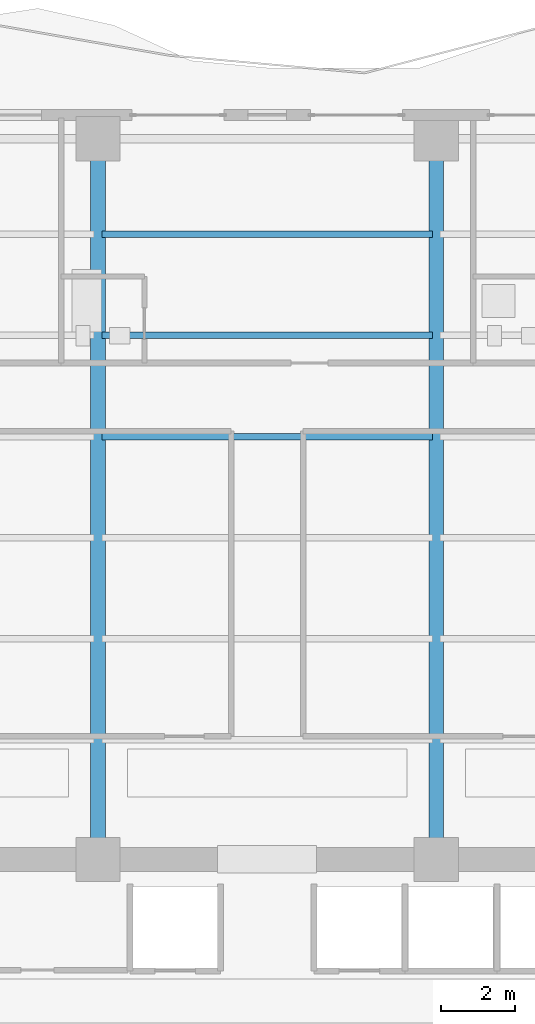
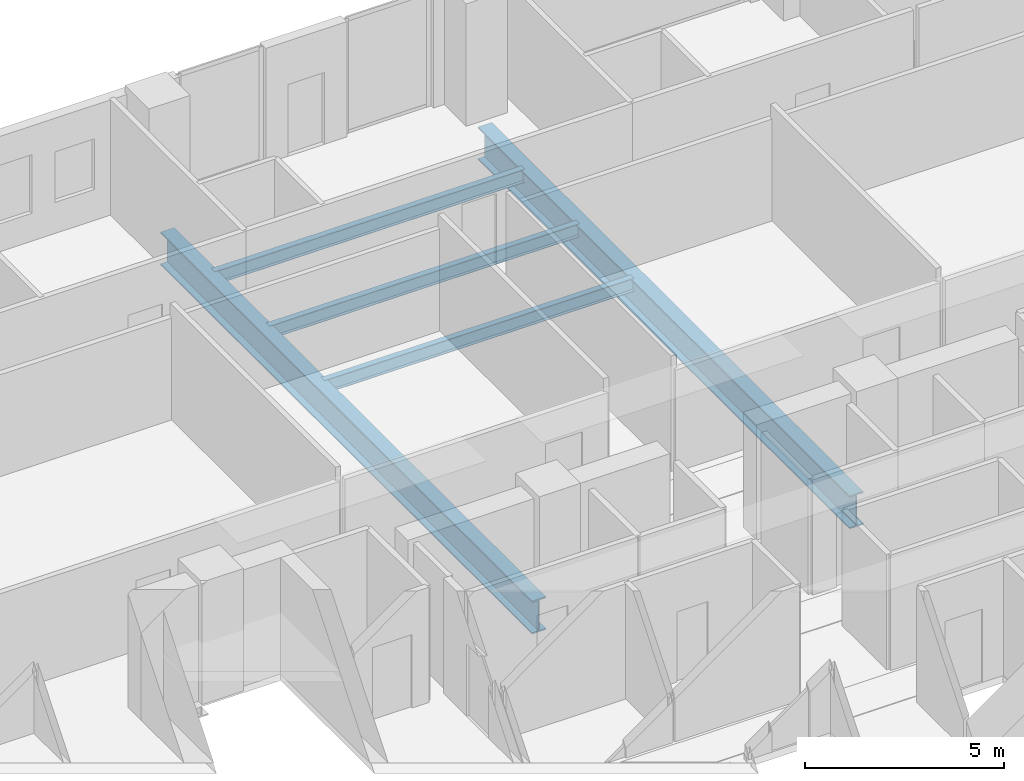
# One storey, part 18 of 32: 5 beams.
"""IFC4 building model written with IfcOpenShell, lengths in metres."""

from ifc_helpers import new_model, si_unit, direction, frame, origin, origin_2d, place, context, subcontext, project, spatial, i_section, extrude, material, material_profile, profile_set, type_object, element, save


model = new_model("IFC4")

# Units and contexts
model_context = context("Model", 3, precision=1e-05, world=origin(), true_north=direction((0.0, 1.0)))
body_context = subcontext(model_context, "Body", "Model", "MODEL_VIEW")
ifc_project = project(units=[si_unit("LENGTHUNIT", "METRE"), si_unit("AREAUNIT", "SQUARE_METRE"), si_unit("VOLUMEUNIT", "CUBIC_METRE"), si_unit("PLANEANGLEUNIT", "RADIAN"), si_unit("MASSUNIT", "GRAM", prefix="KILO")], contexts=[model_context])

# Site, building, storey
site_placement = place(None, origin())
site = spatial("IfcSite", under=ifc_project, at=site_placement, CompositionType="ELEMENT")
building_placement = place(site_placement, origin())
building = spatial("IfcBuilding", under=site, at=building_placement, Name="Zuhayl Quay Hotel", CompositionType="ELEMENT")
storey_placement = place(building_placement, frame((0.0, 0.0, 188.64990234375)))
storey = spatial("IfcBuildingStorey", under=building, at=storey_placement, Name="L47", CompositionType="ELEMENT", Elevation=188.64990234375)

# Beams
ifc_material = material(Name="Steel ASTM A992 Grade 50", Category="steel")
ifc_material_profile_1 = material_profile(ifc_material, i_section(OverallWidth=0.177978515625, OverallDepth=0.406005859375, WebThickness=0.0078125, FlangeThickness=0.0126953125, at=origin_2d()), Name="W16X40")
ifc_profile_set_1 = profile_set([ifc_material_profile_1], Name="Steel ASTM A992 Grade 50")
beam_type_1 = type_object("IfcBeamType", Name="BM_J2B_W16X40", PredefinedType="JOIST", material=ifc_profile_set_1)
for number, where, z_axis, x_axis, name in (
    (1, (-4.493896484375, 24.85009765625, -0.4228515625), (1.0, 0.0, 0.0), (0.0, 1.0, 0.0), "L47 Floor Beam FJ_L47_4_2"),
    (2, (-4.493896484375, 27.60009765625, -0.4228515625), (1.0, 0.0, 0.0), (0.0, 1.0, 0.0), "L47 Floor Beam FJ_L47_5_2"),
    (3, (-4.493896484375, 30.35009765625, -0.4228515625), (1.0, 0.0, 0.0), (0.0, 1.0, 0.0), "L47 Floor Beam FJ_L47_6_2"),
):
    element("IfcBeam", number, at=place(storey_placement, frame(where, z_axis=z_axis, x_axis=x_axis)), inside=storey, type_object=beam_type_1, Name=name, PredefinedType="JOIST", context=body_context, shape_type="SweptSolid", body=[
        extrude(i_section(OverallWidth=0.177978515625, OverallDepth=0.406005859375, WebThickness=0.0078125, FlangeThickness=0.0126953125, at=origin_2d()), origin(), (0.0, 0.0, 1.0), 8.98779296875),
    ])
ifc_material_profile_2 = material_profile(ifc_material, i_section(OverallWidth=0.40087890625, OverallDepth=1.010986328125, WebThickness=0.023681640625, FlangeThickness=0.0419921875, at=origin_2d()), Name="W40X297")
ifc_profile_set_2 = profile_set([ifc_material_profile_2], Name="Steel ASTM A992 Grade 50")
beam_type_2 = type_object("IfcBeamType", Name="BM_TG2_W40X297", PredefinedType="BEAM", material=ifc_profile_set_2)
for number, where, z_axis, x_axis, name in (
    (4, (-4.60009765625, 13.800048828125, -0.725341796875), (0.0, 1.0, 0.0), (-1.0, 0.0, 0.0), "L47 Floor Beam FG_N_L47_2"),
    (5, (4.60009765625, 13.800048828125, -0.725341796875), (0.0, 1.0, 0.0), (-1.0, 0.0, 0.0), "L47 Floor Beam FG_N_L47_3"),
):
    element("IfcBeam", number, at=place(storey_placement, frame(where, z_axis=z_axis, x_axis=x_axis)), inside=storey, type_object=beam_type_2, Name=name, PredefinedType="BEAM", context=body_context, shape_type="SweptSolid", body=[
        extrude(i_section(OverallWidth=0.40087890625, OverallDepth=1.010986328125, WebThickness=0.023681640625, FlangeThickness=0.0419921875, at=origin_2d()), origin(), (0.0, 0.0, 1.0), 18.64990234375),
    ])

save(model, "model.ifc")
